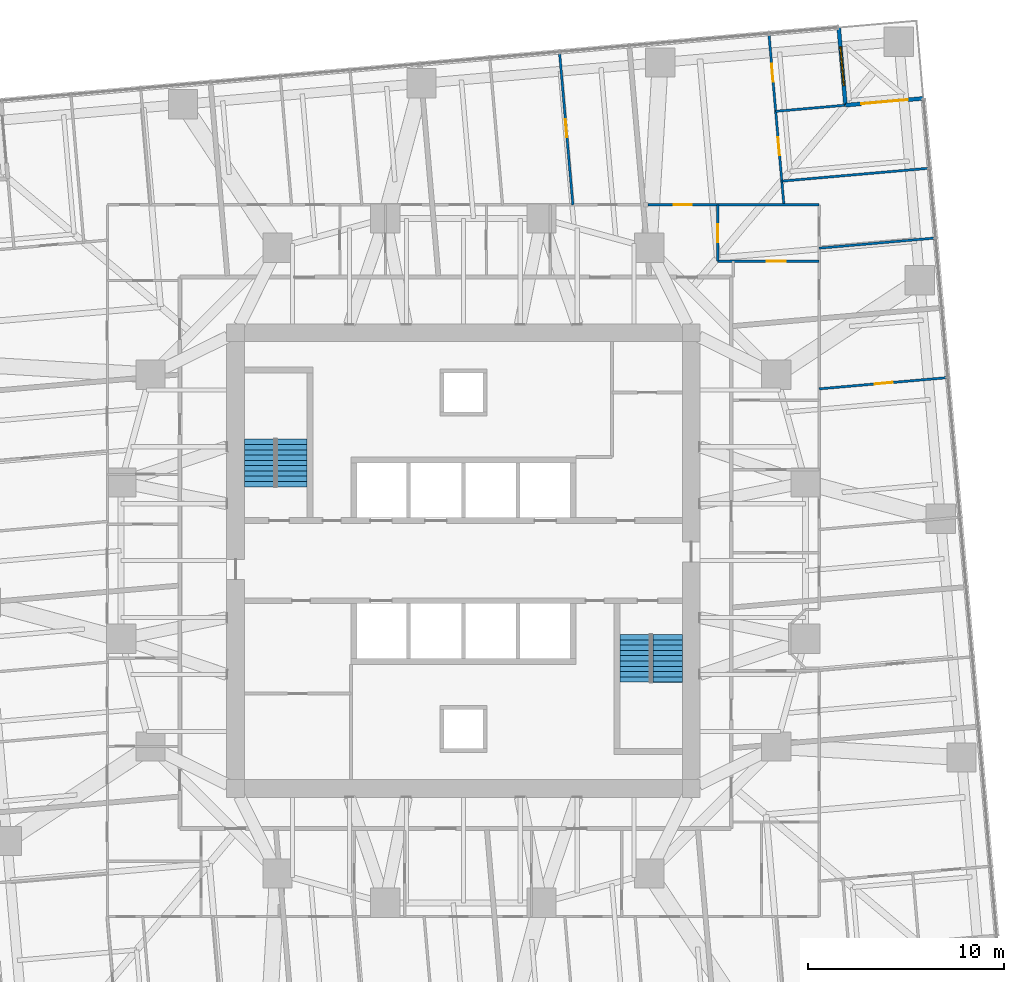
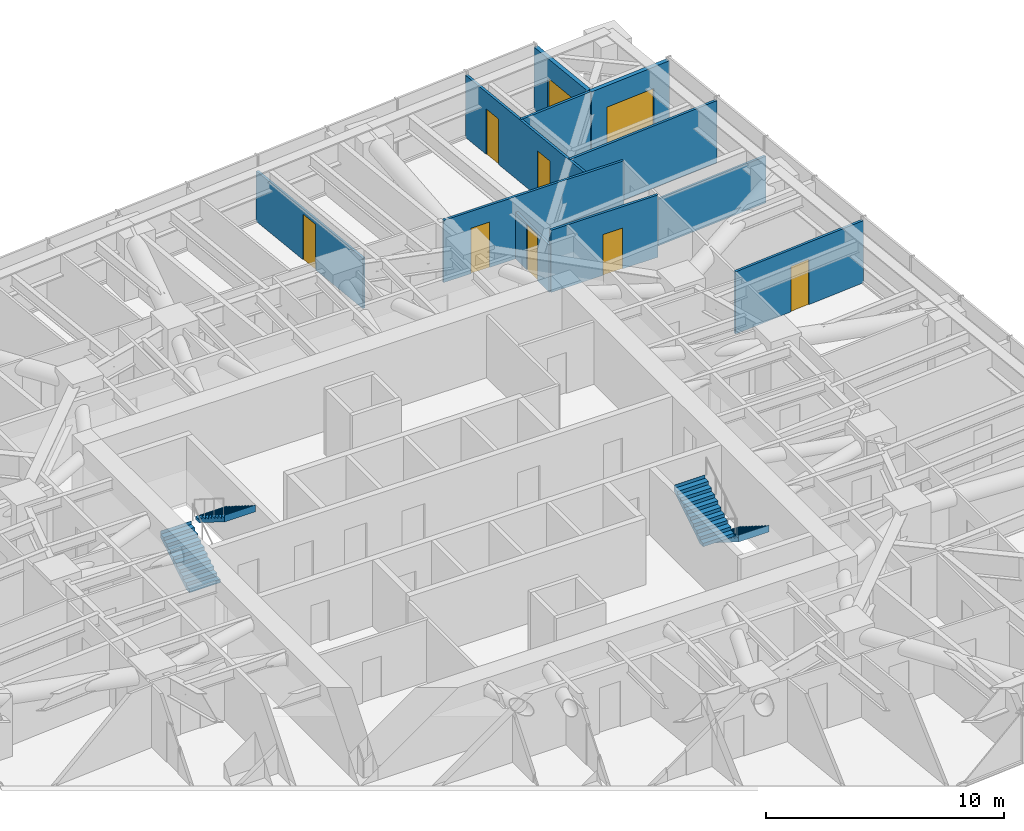
# One storey, part 16 of 18: 11 walls, 8 doors, 4 stair flights, 1 window, 9 openings, 2 elements without a shape of their own.
"""IFC4 building model written with IfcOpenShell, lengths in metres."""

from ifc_helpers import new_model, si_unit, direction, frame, frame_2d, origin, place, context, subcontext, project, spatial, polyline, rectangle, outline, extrude, material, layer, layer_set, type_object, element, fill, aggregate, save


model = new_model("IFC4")

# Units and contexts
model_context = context("Model", 3, precision=1e-05, world=origin(), true_north=direction((0.0, 1.0)))
body_context = subcontext(model_context, "Body", "Model", "MODEL_VIEW")
ifc_project = project(units=[si_unit("LENGTHUNIT", "METRE"), si_unit("AREAUNIT", "SQUARE_METRE"), si_unit("VOLUMEUNIT", "CUBIC_METRE"), si_unit("PLANEANGLEUNIT", "RADIAN"), si_unit("MASSUNIT", "GRAM", prefix="KILO")], contexts=[model_context])

# Site, building, storey
site_placement = place(None, origin())
site = spatial("IfcSite", under=ifc_project, at=site_placement, CompositionType="ELEMENT")
building_placement = place(site_placement, origin())
building = spatial("IfcBuilding", under=site, at=building_placement, Name="Torsade Residences", CompositionType="ELEMENT")
storey_placement = place(building_placement, frame((0.0, 0.0, 71.0)))
storey = spatial("IfcBuildingStorey", under=building, at=storey_placement, Name="L19", CompositionType="ELEMENT", Elevation=71.0)

# Wall, opening, door
ifc_material_1 = material(Name="Plasterboard on steel stud", Category="steel")
ifc_layer_1 = layer(ifc_material_1, 0.1201171875)
ifc_layer_set_1 = layer_set([ifc_layer_1], Name="Plasterboard on steel stud")
wall_type_1 = type_object("IfcWallType", Name="PARTITION 120", PredefinedType="PARTITIONING", material=ifc_layer_set_1)
wall_1_placement = place(storey_placement, frame((58.199951171875, 38.786376953125, 0.0), z_axis=(0.0, 0.0, 1.0), x_axis=(0.996195090105, 0.087151261897, 0.0)))
wall_1 = element("IfcWall", 1, at=wall_1_placement, inside=storey, type_object=wall_type_1, Name="Partition L19", PredefinedType="PARTITIONING", context=body_context, shape_type="SweptSolid", body=[
    extrude(rectangle(XDim=6.5634765625, YDim=0.1201171875, at=frame_2d((3.28173828125, 0.0))), origin(), (0.0, 0.0, 1.0), 3.199951171875),
])
opening_1_placement = place(wall_1_placement, frame((2.841796875, 0.0, 0.0)))
opening_1 = element("IfcOpeningElement", 2, at=opening_1_placement, cuts=wall_1, Name="Opening D02", PredefinedType="OPENING", context=body_context, shape_type="SweptSolid", body=[
    extrude(rectangle(XDim=0.919921875, YDim=2.340087890625, at=frame_2d((0.4599609375, 1.169921875))), frame((0.0, 0.070068359375, 0.0), z_axis=(0.0, -1.0, 0.0), x_axis=(1.0, 0.0, 0.0)), (0.0, 0.0, 1.0), 0.14013671875),
])
ifc_material_2 = material(Name="Hollow-core timber door", Category="wood")
door_type_1 = type_object("IfcDoorType", Name="INTERNAL DOOR 920x2340", OperationType="NOTDEFINED", PredefinedType="DOOR", material=ifc_material_2)
door_1_placement = place(opening_1_placement, origin())
door_1 = element("IfcDoor", 3, at=door_1_placement, inside=storey, type_object=door_type_1, Name="Door Living room to Bedroom 2", OperationType="SINGLE_SWING_LEFT", OverallHeight=2.340087890625, OverallWidth=0.919921875, PredefinedType="DOOR", context=body_context, shape_type="SweptSolid", body=[
    extrude(rectangle(XDim=0.919921875, YDim=2.340087890625, at=frame_2d((0.4599609375, 1.169921875))), frame((0.0, 0.02490234375, 0.0), z_axis=(0.0, -1.0, 0.0), x_axis=(1.0, 0.0, 0.0)), (0.0, 0.0, 1.0), 0.050048828125),
])
fill(opening_1, door_1)

wall_2_placement = place(storey_placement, frame((53.00244140625, 48.199951171875, 0.0), z_axis=(0.0, 0.0, 1.0), x_axis=(0.0, -1.0, 0.0)))
wall_2 = element("IfcWall", 4, at=wall_2_placement, inside=storey, type_object=wall_type_1, Name="Partition L19", PredefinedType="PARTITIONING", context=body_context, shape_type="SweptSolid", body=[
    extrude(rectangle(XDim=2.887451171875, YDim=0.1201171875, at=frame_2d((1.44384765625, 0.0))), origin(), (0.0, 0.0, 1.0), 2.39892578125),
])
opening_2_placement = place(wall_2_placement, frame((0.983642578125, 0.0, 0.0)))
opening_2 = element("IfcOpeningElement", 5, at=opening_2_placement, cuts=wall_2, Name="Opening D02", PredefinedType="OPENING", context=body_context, shape_type="SweptSolid", body=[
    extrude(rectangle(XDim=0.919921875, YDim=2.340087890625, at=frame_2d((0.4599609375, 1.169921875))), frame((0.0, 0.070068359375, 0.0), z_axis=(0.0, -1.0, 0.0), x_axis=(1.0, 0.0, 0.0)), (0.0, 0.0, 1.0), 0.14013671875),
])
door_2_placement = place(opening_2_placement, origin())
door_2 = element("IfcDoor", 6, at=door_2_placement, inside=storey, type_object=door_type_1, Name="Door Kitchen and dining to Dressing room", OperationType="SINGLE_SWING_LEFT", OverallHeight=2.340087890625, OverallWidth=0.919921875, PredefinedType="DOOR", context=body_context, shape_type="SweptSolid", body=[
    extrude(rectangle(XDim=0.919921875, YDim=2.340087890625, at=frame_2d((0.4599609375, 1.169921875))), frame((0.0, 0.02490234375, 0.0), z_axis=(0.0, -1.0, 0.0), x_axis=(1.0, 0.0, 0.0)), (0.0, 0.0, 1.0), 0.050048828125),
])
fill(opening_2, door_2)

wall_3_placement = place(storey_placement, frame((53.00244140625, 45.3125, 0.0), z_axis=(0.0, 0.0, 1.0), x_axis=(1.0, 0.0, 0.0)))
wall_3 = element("IfcWall", 7, at=wall_3_placement, inside=storey, type_object=wall_type_1, Name="Partition L19", PredefinedType="PARTITIONING", context=body_context, shape_type="SweptSolid", body=[
    extrude(rectangle(XDim=5.197509765625, YDim=0.1201171875, at=frame_2d((2.5986328125, 0.0))), origin(), (0.0, 0.0, 1.0), 3.199951171875),
])
opening_3_placement = place(wall_3_placement, frame((2.517578125, 0.0, 0.0)))
opening_3 = element("IfcOpeningElement", 8, at=opening_3_placement, cuts=wall_3, Name="Opening D05", PredefinedType="OPENING", context=body_context, shape_type="SweptSolid", body=[
    extrude(rectangle(XDim=0.9599609375, YDim=2.10009765625, at=frame_2d((0.47998046875, 1.050048828125))), frame((0.0, 0.070068359375, 0.0), z_axis=(0.0, -1.0, 0.0), x_axis=(1.0, 0.0, 0.0)), (0.0, 0.0, 1.0), 0.14013671875),
])
ifc_material_3 = material(Name="Hollow-core timber door in a steel cavity frame", Category="steel")
door_type_2 = type_object("IfcDoorType", Name="BATHROOM CAVITY SLIDING DOOR 960", OperationType="SLIDING_TO_LEFT", PredefinedType="DOOR", material=ifc_material_3)
door_3_placement = place(opening_3_placement, origin())
door_3 = element("IfcDoor", 9, at=door_3_placement, inside=storey, type_object=door_type_2, Name="Door Dressing room to Bathroom", OperationType="SLIDING_TO_LEFT", OverallHeight=2.10009765625, OverallWidth=0.9599609375, PredefinedType="DOOR", context=body_context, shape_type="SweptSolid", body=[
    extrude(rectangle(XDim=0.9599609375, YDim=2.10009765625, at=frame_2d((0.47998046875, 1.050048828125))), frame((0.0, 0.02490234375, 0.0), z_axis=(0.0, -1.0, 0.0), x_axis=(1.0, 0.0, 0.0)), (0.0, 0.0, 1.0), 0.050048828125),
])
fill(opening_3, door_3)

wall_4_placement = place(storey_placement, frame((49.444091796875, 48.199951171875, 0.0), z_axis=(0.0, 0.0, 1.0), x_axis=(1.0, 0.0, 0.0)))
wall_4 = element("IfcWall", 10, at=wall_4_placement, inside=storey, type_object=wall_type_1, Name="Partition L19", PredefinedType="PARTITIONING", context=body_context, shape_type="SweptSolid", body=[
    extrude(rectangle(XDim=8.755859375, YDim=0.1201171875, at=frame_2d((4.3779296875, 0.0))), origin(), (0.0, 0.0, 1.0), 3.199951171875),
])
opening_4_placement = place(wall_4_placement, frame((1.319091796875, 0.0, 0.0)))
opening_4 = element("IfcOpeningElement", 11, at=opening_4_placement, cuts=wall_4, Name="Opening D02", PredefinedType="OPENING", context=body_context, shape_type="SweptSolid", body=[
    extrude(rectangle(XDim=0.919921875, YDim=2.340087890625, at=frame_2d((0.4599609375, 1.169921875))), frame((0.0, 0.070068359375, 0.0), z_axis=(0.0, -1.0, 0.0), x_axis=(1.0, 0.0, 0.0)), (0.0, 0.0, 1.0), 0.14013671875),
])
door_4_placement = place(opening_4_placement, origin())
door_4 = element("IfcDoor", 12, at=door_4_placement, inside=storey, type_object=door_type_1, Name="Door Kitchen and dining to Living room", OperationType="SINGLE_SWING_LEFT", OverallHeight=2.340087890625, OverallWidth=0.919921875, PredefinedType="DOOR", context=body_context, shape_type="SweptSolid", body=[
    extrude(rectangle(XDim=0.919921875, YDim=2.340087890625, at=frame_2d((0.4599609375, 1.169921875))), frame((0.0, 0.02490234375, 0.0), z_axis=(0.0, -1.0, 0.0), x_axis=(1.0, 0.0, 0.0)), (0.0, 0.0, 1.0), 0.050048828125),
])
fill(opening_4, door_4)

# Wall, openings, doors
wall_5_placement = place(storey_placement, frame((55.62939453125, 56.924560546875, 0.0), z_axis=(0.0, 0.0, 1.0), x_axis=(0.087169716747, -0.996193475426, 0.0)))
wall_5 = element("IfcWall", 13, at=wall_5_placement, inside=storey, type_object=wall_type_1, Name="Partition L19", PredefinedType="PARTITIONING", context=body_context, shape_type="SweptSolid", body=[
    extrude(rectangle(XDim=8.758056640625, YDim=0.1201171875, at=frame_2d((4.37890625, 0.0))), origin(), (0.0, 0.0, 1.0), 3.199951171875),
])
opening_5_placement = place(wall_5_placement, frame((1.52490234375, 0.0, 0.0)))
opening_5 = element("IfcOpeningElement", 14, at=opening_5_placement, cuts=wall_5, Name="Opening D02", PredefinedType="OPENING", context=body_context, shape_type="SweptSolid", body=[
    extrude(rectangle(XDim=0.919921875, YDim=2.340087890625, at=frame_2d((0.4599609375, 1.169921875))), frame((0.0, 0.070068359375, 0.0), z_axis=(0.0, -1.0, 0.0), x_axis=(1.0, 0.0, 0.0)), (0.0, 0.0, 1.0), 0.14013671875),
])
opening_6_placement = place(wall_5_placement, frame((5.291748046875, 0.0, 0.0)))
opening_6 = element("IfcOpeningElement", 15, at=opening_6_placement, cuts=wall_5, Name="Opening D02", PredefinedType="OPENING", context=body_context, shape_type="SweptSolid", body=[
    extrude(rectangle(XDim=0.919921875, YDim=2.340087890625, at=frame_2d((0.4599609375, 1.169921875))), frame((0.0, 0.070068359375, 0.0), z_axis=(0.0, -1.0, 0.0), x_axis=(1.0, 0.0, 0.0)), (0.0, 0.0, 1.0), 0.14013671875),
])
door_5_placement = place(opening_5_placement, origin())
door_5 = element("IfcDoor", 16, at=door_5_placement, inside=storey, type_object=door_type_1, Name="Door Living room to Family room", OperationType="SINGLE_SWING_RIGHT", OverallHeight=2.340087890625, OverallWidth=0.919921875, PredefinedType="DOOR", context=body_context, shape_type="SweptSolid", body=[
    extrude(rectangle(XDim=0.919921875, YDim=2.340087890625, at=frame_2d((0.4599609375, 1.169921875))), frame((0.0, 0.02490234375, 0.0), z_axis=(0.0, -1.0, 0.0), x_axis=(1.0, 0.0, 0.0)), (0.0, 0.0, 1.0), 0.050048828125),
])
fill(opening_5, door_5)
door_6_placement = place(opening_6_placement, origin())
door_6 = element("IfcDoor", 17, at=door_6_placement, inside=storey, type_object=door_type_1, Name="Door Living room to Bedroom 1", OperationType="SINGLE_SWING_RIGHT", OverallHeight=2.340087890625, OverallWidth=0.919921875, PredefinedType="DOOR", context=body_context, shape_type="SweptSolid", body=[
    extrude(rectangle(XDim=0.919921875, YDim=2.340087890625, at=frame_2d((0.4599609375, 1.169921875))), frame((0.0, 0.02490234375, 0.0), z_axis=(0.0, -1.0, 0.0), x_axis=(1.0, 0.0, 0.0)), (0.0, 0.0, 1.0), 0.050048828125),
])
fill(opening_6, door_6)

# Walls
wall_6_placement = place(storey_placement, frame((63.801513671875, 50.0673828125, 0.0), z_axis=(0.0, 0.0, 1.0), x_axis=(-0.996194420069, -0.087158920508, 0.0)))
element("IfcWall", 18, at=wall_6_placement, inside=storey, type_object=wall_type_1, Name="Partition L19", PredefinedType="PARTITIONING", context=body_context, shape_type="SweptSolid", body=[
    extrude(rectangle(XDim=7.54345703125, YDim=0.1201171875, at=frame_2d((3.771728515625, 0.0))), origin(), (0.0, 0.0, 1.0), 3.199951171875),
])
wall_7_placement = place(storey_placement, frame((55.974609375, 52.979736328125, 0.0), z_axis=(0.0, 0.0, 1.0), x_axis=(0.996194166221, 0.087161821847, 0.0)))
element("IfcWall", 19, at=wall_7_placement, inside=storey, type_object=wall_type_1, Name="Partition L19", PredefinedType="PARTITIONING", context=body_context, shape_type="SweptSolid", body=[
    extrude(rectangle(XDim=3.543212890625, YDim=0.1201171875, at=frame_2d((1.771484375, 0.0))), origin(), (0.0, 0.0, 1.0), 3.199951171875),
])
wall_8_placement = place(storey_placement, frame((64.11376953125, 46.497802734375, 0.0), z_axis=(0.0, 0.0, 1.0), x_axis=(-0.996195547509, -0.087146033323, 0.0)))
element("IfcWall", 20, at=wall_8_placement, inside=storey, type_object=wall_type_1, Name="Partition L19", PredefinedType="PARTITIONING", context=body_context, shape_type="SweptSolid", body=[
    extrude(rectangle(XDim=5.9365234375, YDim=0.1201171875, at=frame_2d((2.96826171875, 0.0))), origin(), (0.0, 0.0, 1.0), 2.39892578125),
])

# Wall, opening, door
wall_9_placement = place(storey_placement, frame((45.601806640625, 48.199951171875, 0.0), z_axis=(0.0, 0.0, 1.0), x_axis=(-0.087161914023, 0.996194158156, 0.0)))
wall_9 = element("IfcWall", 21, at=wall_9_placement, inside=storey, type_object=wall_type_1, Name="Partition L19", PredefinedType="PARTITIONING", context=body_context, shape_type="SweptSolid", body=[
    extrude(rectangle(XDim=7.817626953125, YDim=0.1201171875, at=frame_2d((3.90869140625, 0.0))), origin(), (0.0, 0.0, 1.0), 2.587890625),
])
opening_7_placement = place(wall_9_placement, frame((3.46875, 0.0, 0.0)))
opening_7 = element("IfcOpeningElement", 22, at=opening_7_placement, cuts=wall_9, Name="Opening D02", PredefinedType="OPENING", context=body_context, shape_type="SweptSolid", body=[
    extrude(rectangle(XDim=0.919921875, YDim=2.340087890625, at=frame_2d((0.4599609375, 1.169921875))), frame((0.0, 0.070068359375, 0.0), z_axis=(0.0, -1.0, 0.0), x_axis=(1.0, 0.0, 0.0)), (0.0, 0.0, 1.0), 0.14013671875),
])
door_7_placement = place(opening_7_placement, origin())
door_7 = element("IfcDoor", 23, at=door_7_placement, inside=storey, type_object=door_type_1, Name="Door Living room to Bedroom 1", OperationType="SINGLE_SWING_RIGHT", OverallHeight=2.340087890625, OverallWidth=0.919921875, PredefinedType="DOOR", context=body_context, shape_type="SweptSolid", body=[
    extrude(rectangle(XDim=0.919921875, YDim=2.340087890625, at=frame_2d((0.4599609375, 1.169921875))), frame((0.0, 0.02490234375, 0.0), z_axis=(0.0, -1.0, 0.0), x_axis=(1.0, 0.0, 0.0)), (0.0, 0.0, 1.0), 0.050048828125),
])
fill(opening_7, door_7)

ifc_material_4 = material(Name="Stone-faced precast concrete 40 MPa panel", Category="masonry")
ifc_layer_2 = layer(ifc_material_4, 0.199951171875)
ifc_layer_set_2 = layer_set([ifc_layer_2], Name="Stone-faced precast concrete 40 MPa panel")
wall_type_2 = type_object("IfcWallType", Name="TERRACE WALL 200", PredefinedType="SOLIDWALL", material=ifc_layer_set_2)
wall_10_placement = place(storey_placement, frame((63.529052734375, 53.640625, 0.0), z_axis=(0.0, 0.0, 1.0), x_axis=(-0.99619418125, -0.087161650072, 0.0)))
wall_10 = element("IfcWall", 24, at=wall_10_placement, inside=storey, type_object=wall_type_2, Name="Terrace wall L19 5", PredefinedType="SOLIDWALL", context=body_context, shape_type="SweptSolid", body=[
    extrude(rectangle(XDim=3.999755859375, YDim=0.199951171875, at=frame_2d((2.0, 0.0))), origin(), (0.0, 0.0, 1.0), 3.199951171875),
])
opening_8_placement = place(wall_10_placement, frame((0.800048828125, 0.0, 0.0)))
opening_8 = element("IfcOpeningElement", 25, at=opening_8_placement, cuts=wall_10, Name="Opening D10A", PredefinedType="OPENING", context=body_context, shape_type="SweptSolid", body=[
    extrude(rectangle(XDim=2.39990234375, YDim=2.10009765625, at=frame_2d((1.199951171875, 1.050048828125))), frame((0.0, 0.10986328125, 0.0), z_axis=(0.0, -1.0, 0.0), x_axis=(1.0, 0.0, 0.0)), (0.0, 0.0, 1.0), 0.219970703125),
])
ifc_material_5 = material(Name="Aluminium-framed glass door", Category="aluminium")
door_type_3 = type_object("IfcDoorType", Name="TERRACE SLIDING DOOR 2400x2100", OperationType="SLIDING_TO_LEFT", PredefinedType="DOOR", material=ifc_material_5)
door_8_placement = place(opening_8_placement, origin())
door_8 = element("IfcDoor", 26, at=door_8_placement, inside=storey, type_object=door_type_3, Name="Terrace door L19 5", OperationType="SLIDING_TO_LEFT", OverallHeight=2.10009765625, OverallWidth=2.39990234375, PredefinedType="DOOR", context=body_context, shape_type="SweptSolid", body=[
    extrude(rectangle(XDim=2.39990234375, YDim=2.10009765625, at=frame_2d((1.199951171875, 1.050048828125))), frame((0.0, 0.02490234375, 0.0), z_axis=(0.0, -1.0, 0.0), x_axis=(1.0, 0.0, 0.0)), (0.0, 0.0, 1.0), 0.050048828125),
])
fill(opening_8, door_8)

# Wall, opening, window
wall_11_placement = place(storey_placement, frame((59.54443359375, 53.2919921875, 0.0), z_axis=(0.0, 0.0, 1.0), x_axis=(-0.087156350505, 0.99619464492, 0.0)))
wall_11 = element("IfcWall", 27, at=wall_11_placement, inside=storey, type_object=wall_type_2, Name="Terrace wall L19 6", PredefinedType="SOLIDWALL", context=body_context, shape_type="SweptSolid", body=[
    extrude(rectangle(XDim=4.0, YDim=0.199951171875, at=frame_2d((2.0, 0.0))), origin(), (0.0, 0.0, 1.0), 3.199951171875),
])
opening_9_placement = place(wall_11_placement, frame((1.0, 0.0, 0.39990234375)))
opening_9 = element("IfcOpeningElement", 28, at=opening_9_placement, cuts=wall_11, Name="Opening W1B", PredefinedType="OPENING", context=body_context, shape_type="SweptSolid", body=[
    extrude(rectangle(XDim=2.0, YDim=1.800048828125, at=frame_2d((1.0, 0.89990234375))), frame((0.0, 0.10986328125, 0.0), z_axis=(0.0, -1.0, 0.0), x_axis=(1.0, 0.0, 0.0)), (0.0, 0.0, 1.0), 0.219970703125),
])
ifc_material_6 = material(Name="Aluminium-framed glass window", Category="aluminium")
window_type = type_object("IfcWindowType", Name="TERRACE WINDOW 2000x1800", PartitioningType="SINGLE_PANEL", PredefinedType="WINDOW", material=ifc_material_6)
window_placement = place(opening_9_placement, origin())
window = element("IfcWindow", 29, at=window_placement, inside=storey, type_object=window_type, Name="Terrace window L19 6", OverallHeight=1.800048828125, OverallWidth=2.0, PartitioningType="SINGLE_PANEL", PredefinedType="WINDOW", context=body_context, shape_type="SweptSolid", body=[
    extrude(rectangle(XDim=2.0, YDim=1.800048828125, at=frame_2d((1.0, 0.89990234375))), frame((0.0, 0.030029296875, 0.0), z_axis=(0.0, -1.0, 0.0), x_axis=(1.0, 0.0, 0.0)), (0.0, 0.0, 1.0), 0.06005859375),
])
fill(opening_9, window)

# Stair, stair flights
ifc_material_7 = material(Name="Precast concrete 40 MPa", Category="concrete")
stair_type = type_object("IfcStairType", Name="HALF-TURN FIRE STAIR 1500x3400", PredefinedType="HALF_TURN_STAIR", material=ifc_material_7)
stair_1_placement = place(storey_placement, origin())
stair_1 = element("IfcStair", 30, at=stair_1_placement, inside=storey, type_object=stair_type, Name="Stair ST1 L19", PredefinedType="HALF_TURN_STAIR")
ifc_material_8 = material(Name="Precast concrete 40 MPa", Category="concrete")
stair_flight_type = type_object("IfcStairFlightType", Name="PRECAST STAIR FLIGHT 1500x1700", PredefinedType="STRAIGHT", material=ifc_material_8)
stair_flight_1_placement = place(storey_placement, frame((29.550048828125, 33.780029296875, 0.0), z_axis=(0.0, 0.0, 1.0), x_axis=(0.0, 1.0, 0.0)))
stair_flight_1 = element("IfcStairFlight", 31, at=stair_flight_1_placement, type_object=stair_flight_type, Name="ST1 flight 1", NumberOfRisers=10, NumberOfTreads=9, PredefinedType="STRAIGHT", RiserHeight=0.17, TreadLength=0.27, context=body_context, shape_type="SweptSolid", body=[
    extrude(outline(polyline([(0.0, 0.0), (0.0, 0.169921875), (0.27001953125, 0.169921875), (0.27001953125, 0.340087890625), (0.5400390625, 0.340087890625), (0.5400390625, 0.510009765625), (0.81005859375, 0.510009765625), (0.81005859375, 0.679931640625), (1.080078125, 0.679931640625), (1.080078125, 0.85009765625), (1.35009765625, 0.85009765625), (1.35009765625, 1.02001953125), (1.6201171875, 1.02001953125), (1.6201171875, 1.18994140625), (1.889892578125, 1.18994140625), (1.889892578125, 1.360107421875), (2.159912109375, 1.360107421875), (2.159912109375, 1.530029296875), (2.429931640625, 1.530029296875), (2.429931640625, 1.699951171875), (2.43994140625, 1.699951171875), (2.43994140625, 1.352783203125), (2.429931640625, 1.352783203125), (0.28125, 0.0), (0.0, 0.0)])), frame((0.0, 0.75, 0.0), z_axis=(0.0, -1.0, 0.0), x_axis=(1.0, 0.0, 0.0)), (0.0, 0.0, 1.0), 1.5),
])
stair_flight_2_placement = place(storey_placement, frame((31.25, 36.2099609375, 1.699951171875), z_axis=(0.0, 0.0, 1.0), x_axis=(0.0, -1.0, 0.0)))
stair_flight_2 = element("IfcStairFlight", 32, at=stair_flight_2_placement, type_object=stair_flight_type, Name="ST1 flight 2", NumberOfRisers=10, NumberOfTreads=9, PredefinedType="STRAIGHT", RiserHeight=0.17, TreadLength=0.27, context=body_context, shape_type="SweptSolid", body=[
    extrude(outline(polyline([(0.0, 0.0), (0.0, 0.169921875), (0.27001953125, 0.169921875), (0.27001953125, 0.340087890625), (0.5400390625, 0.340087890625), (0.5400390625, 0.510009765625), (0.81005859375, 0.510009765625), (0.81005859375, 0.679931640625), (1.080078125, 0.679931640625), (1.080078125, 0.85009765625), (1.35009765625, 0.85009765625), (1.35009765625, 1.02001953125), (1.6201171875, 1.02001953125), (1.6201171875, 1.18994140625), (1.889892578125, 1.18994140625), (1.889892578125, 1.360107421875), (2.159912109375, 1.360107421875), (2.159912109375, 1.530029296875), (2.429931640625, 1.530029296875), (2.429931640625, 1.699951171875), (2.43994140625, 1.699951171875), (2.43994140625, 1.352783203125), (2.429931640625, 1.352783203125), (0.28125, 0.0), (0.0, 0.0)])), frame((0.0, 0.75, 0.0), z_axis=(0.0, -1.0, 0.0), x_axis=(1.0, 0.0, 0.0)), (0.0, 0.0, 1.0), 1.5),
])
aggregate(stair_1, [stair_flight_1, stair_flight_2])

stair_2_placement = place(storey_placement, origin())
stair_2 = element("IfcStair", 33, at=stair_2_placement, inside=storey, type_object=stair_type, Name="Stair ST2 L19", PredefinedType="HALF_TURN_STAIR")
stair_flight_3_placement = place(storey_placement, frame((50.449951171875, 26.219970703125, 0.0), z_axis=(0.0, 0.0, 1.0), x_axis=(0.0, -1.0, 0.0)))
stair_flight_3 = element("IfcStairFlight", 34, at=stair_flight_3_placement, type_object=stair_flight_type, Name="ST2 flight 1", NumberOfRisers=10, NumberOfTreads=9, PredefinedType="STRAIGHT", RiserHeight=0.17, TreadLength=0.27, context=body_context, shape_type="SweptSolid", body=[
    extrude(outline(polyline([(0.0, 0.0), (0.0, 0.169921875), (0.27001953125, 0.169921875), (0.27001953125, 0.340087890625), (0.5400390625, 0.340087890625), (0.5400390625, 0.510009765625), (0.81005859375, 0.510009765625), (0.81005859375, 0.679931640625), (1.080078125, 0.679931640625), (1.080078125, 0.85009765625), (1.35009765625, 0.85009765625), (1.35009765625, 1.02001953125), (1.6201171875, 1.02001953125), (1.6201171875, 1.18994140625), (1.889892578125, 1.18994140625), (1.889892578125, 1.360107421875), (2.159912109375, 1.360107421875), (2.159912109375, 1.530029296875), (2.429931640625, 1.530029296875), (2.429931640625, 1.699951171875), (2.43994140625, 1.699951171875), (2.43994140625, 1.352783203125), (2.429931640625, 1.352783203125), (0.28125, 0.0), (0.0, 0.0)])), frame((0.0, 0.75, 0.0), z_axis=(0.0, -1.0, 0.0), x_axis=(1.0, 0.0, 0.0)), (0.0, 0.0, 1.0), 1.5),
])
stair_flight_4_placement = place(storey_placement, frame((48.75, 23.7900390625, 1.699951171875), z_axis=(0.0, 0.0, 1.0), x_axis=(0.0, 1.0, 0.0)))
stair_flight_4 = element("IfcStairFlight", 35, at=stair_flight_4_placement, type_object=stair_flight_type, Name="ST2 flight 2", NumberOfRisers=10, NumberOfTreads=9, PredefinedType="STRAIGHT", RiserHeight=0.17, TreadLength=0.27, context=body_context, shape_type="SweptSolid", body=[
    extrude(outline(polyline([(0.0, 0.0), (0.0, 0.169921875), (0.27001953125, 0.169921875), (0.27001953125, 0.340087890625), (0.5400390625, 0.340087890625), (0.5400390625, 0.510009765625), (0.81005859375, 0.510009765625), (0.81005859375, 0.679931640625), (1.080078125, 0.679931640625), (1.080078125, 0.85009765625), (1.35009765625, 0.85009765625), (1.35009765625, 1.02001953125), (1.6201171875, 1.02001953125), (1.6201171875, 1.18994140625), (1.889892578125, 1.18994140625), (1.889892578125, 1.360107421875), (2.159912109375, 1.360107421875), (2.159912109375, 1.530029296875), (2.429931640625, 1.530029296875), (2.429931640625, 1.699951171875), (2.43994140625, 1.699951171875), (2.43994140625, 1.352783203125), (2.429931640625, 1.352783203125), (0.28125, 0.0), (0.0, 0.0)])), frame((0.0, 0.75, 0.0), z_axis=(0.0, -1.0, 0.0), x_axis=(1.0, 0.0, 0.0)), (0.0, 0.0, 1.0), 1.5),
])
aggregate(stair_2, [stair_flight_3, stair_flight_4])

save(model, "model.ifc")
